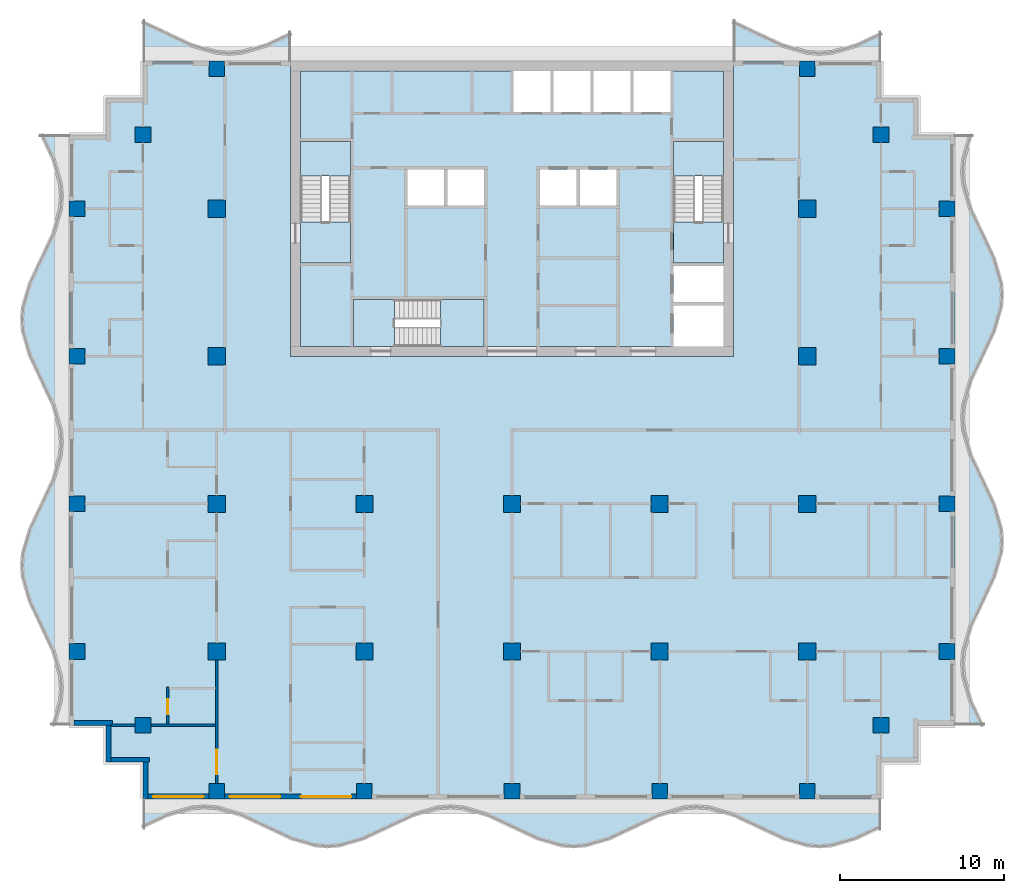
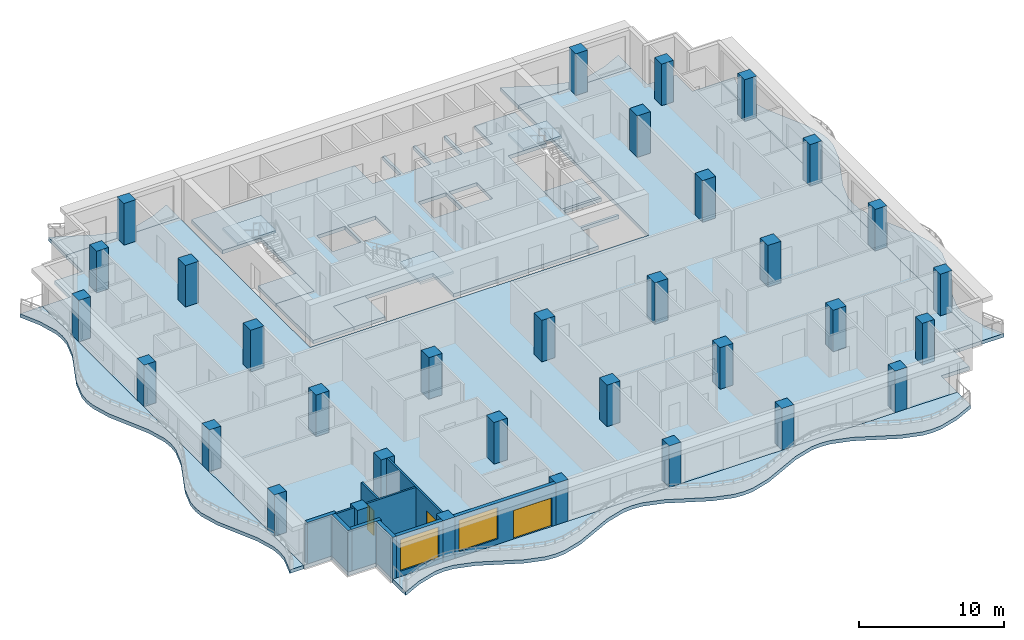
# One storey, part 1 of 11: 33 columns, 13 slabs, 10 walls, 3 doors, 2 windows, 5 openings, 3 elements without a shape of their own.
"""IFC4 building model written with IfcOpenShell, lengths in metres."""

from ifc_helpers import new_model, si_unit, direction, frame, frame_2d, origin, origin_2d, place, context, subcontext, project, spatial, polyline, rectangle, outline, extrude, material, layer, layer_set, material_profile, profile_set, type_object, element, fill, aggregate, save


model = new_model("IFC4")

# Units and contexts
model_context = context("Model", 3, precision=1e-05, world=origin(), true_north=direction((0.0, 1.0)))
body_context = subcontext(model_context, "Body", "Model", "MODEL_VIEW")
ifc_project = project(units=[si_unit("LENGTHUNIT", "METRE"), si_unit("AREAUNIT", "SQUARE_METRE"), si_unit("VOLUMEUNIT", "CUBIC_METRE"), si_unit("PLANEANGLEUNIT", "RADIAN"), si_unit("MASSUNIT", "GRAM", prefix="KILO")], contexts=[model_context])

# Site, building, storey
site_placement = place(None, origin())
site = spatial("IfcSite", under=ifc_project, at=site_placement, CompositionType="ELEMENT")
building_placement = place(site_placement, origin())
building = spatial("IfcBuilding", under=site, at=building_placement, Name="Orbiselva Terraces", CompositionType="ELEMENT")
storey_placement = place(building_placement, frame((0.0, 0.0, 226.2)))
storey = spatial("IfcBuildingStorey", under=building, at=storey_placement, Name="L57", CompositionType="ELEMENT", Elevation=226.2)

# Columns
ifc_material_1 = material(Name="Concrete C50/60", Category="concrete")
ifc_material_profile_1 = material_profile(ifc_material_1, rectangle(XDim=1.05, YDim=1.05, at=origin_2d()), Name="RC 1050x1050")
ifc_profile_set_1 = profile_set([ifc_material_profile_1], Name="Concrete C50/60")
column_type_1 = type_object("IfcColumnType", Name="COLUMN RC 1050x1050", PredefinedType="COLUMN", material=ifc_profile_set_1)
for number, where, z_axis, x_axis, name in (
    (1, (-18.0, -13.5, 0.0), (0.0, 0.0, 1.0), (1.0, 0.0, 0.0), "Column L57-01"),
    (2, (-18.0, -4.5, 0.0), (0.0, 0.0, 1.0), (1.0, 0.0, 0.0), "Column L57-03"),
    (3, (-18.0, 13.5, 0.0), (0.0, 0.0, 1.0), (1.0, 0.0, 0.0), "Column L57-04"),
    (4, (-18.0, 4.5, 0.0), (0.0, 0.0, 1.0), (1.0, 0.0, 0.0), "Column L57-06"),
    (5, (-9.0, -13.5, 0.0), (0.0, 0.0, 1.0), (1.0, 0.0, 0.0), "Column L57-13"),
    (6, (-9.0, -4.5, 0.0), (0.0, 0.0, 1.0), (1.0, 0.0, 0.0), "Column L57-15"),
    (7, (0.0, -13.5, 0.0), (0.0, 0.0, 1.0), (1.0, 0.0, 0.0), "Column L57-16"),
    (8, (0.0, -4.5, 0.0), (0.0, 0.0, 1.0), (1.0, 0.0, 0.0), "Column L57-18"),
    (9, (18.0, -13.5, 0.0), (0.0, 0.0, 1.0), (1.0, 0.0, 0.0), "Column L57-19"),
    (10, (18.0, -4.5, 0.0), (0.0, 0.0, 1.0), (1.0, 0.0, 0.0), "Column L57-21"),
    (11, (18.0, 13.5, 0.0), (0.0, 0.0, 1.0), (1.0, 0.0, 0.0), "Column L57-22"),
    (12, (18.0, 4.5, 0.0), (0.0, 0.0, 1.0), (1.0, 0.0, 0.0), "Column L57-24"),
    (13, (9.0, -13.5, 0.0), (0.0, 0.0, 1.0), (1.0, 0.0, 0.0), "Column L57-31"),
    (14, (9.0, -4.5, 0.0), (0.0, 0.0, 1.0), (1.0, 0.0, 0.0), "Column L57-33"),
):
    element("IfcColumn", number, at=place(storey_placement, frame(where, z_axis=z_axis, x_axis=x_axis)), inside=storey, type_object=column_type_1, Name=name, PredefinedType="COLUMN", context=body_context, shape_type="SweptSolid", body=[
        extrude(rectangle(XDim=1.05, YDim=1.05, at=origin_2d()), origin(), (0.0, 0.0, 1.0), 3.5),
    ])
ifc_material_profile_2 = material_profile(ifc_material_1, rectangle(XDim=0.95, YDim=0.95, at=origin_2d()), Name="RC 950x950")
ifc_profile_set_2 = profile_set([ifc_material_profile_2], Name="Concrete C50/60")
column_type_2 = type_object("IfcColumnType", Name="PERIMETER COLUMN RC 950x950", PredefinedType="COLUMN", material=ifc_profile_set_2)
for number, where, z_axis, x_axis, name in (
    (15, (-18.0, -22.025, 0.0), (0.0, 0.0, 1.0), (1.0, 0.0, 0.0), "Column L57-02"),
    (16, (-18.0, 22.025, 0.0), (0.0, 0.0, 1.0), (1.0, 0.0, 0.0), "Column L57-05"),
    (17, (-26.525, -13.5, 0.0), (0.0, 0.0, 1.0), (1.0, 0.0, 0.0), "Column L57-07"),
    (18, (-22.5, -18.0, 0.0), (0.0, 0.0, 1.0), (1.0, 0.0, 0.0), "Column L57-08"),
    (19, (-26.525, -4.5, 0.0), (0.0, 0.0, 1.0), (1.0, 0.0, 0.0), "Column L57-09"),
    (20, (-26.525, 13.5, 0.0), (0.0, 0.0, 1.0), (1.0, 0.0, 0.0), "Column L57-10"),
    (21, (-22.5, 18.0, 0.0), (0.0, 0.0, 1.0), (1.0, 0.0, 0.0), "Column L57-11"),
    (22, (-26.525, 4.5, 0.0), (0.0, 0.0, 1.0), (1.0, 0.0, 0.0), "Column L57-12"),
    (23, (-9.0, -22.025, 0.0), (0.0, 0.0, 1.0), (1.0, 0.0, 0.0), "Column L57-14"),
    (24, (0.0, -22.025, 0.0), (0.0, 0.0, 1.0), (1.0, 0.0, 0.0), "Column L57-17"),
    (25, (18.0, -22.025, 0.0), (0.0, 0.0, 1.0), (1.0, 0.0, 0.0), "Column L57-20"),
    (26, (18.0, 22.025, 0.0), (0.0, 0.0, 1.0), (1.0, 0.0, 0.0), "Column L57-23"),
    (27, (26.525, -13.5, 0.0), (0.0, 0.0, 1.0), (1.0, 0.0, 0.0), "Column L57-25"),
    (28, (22.5, -18.0, 0.0), (0.0, 0.0, 1.0), (1.0, 0.0, 0.0), "Column L57-26"),
    (29, (26.525, -4.5, 0.0), (0.0, 0.0, 1.0), (1.0, 0.0, 0.0), "Column L57-27"),
    (30, (26.525, 13.5, 0.0), (0.0, 0.0, 1.0), (1.0, 0.0, 0.0), "Column L57-28"),
    (31, (22.5, 18.0, 0.0), (0.0, 0.0, 1.0), (1.0, 0.0, 0.0), "Column L57-29"),
    (32, (26.525, 4.5, 0.0), (0.0, 0.0, 1.0), (1.0, 0.0, 0.0), "Column L57-30"),
    (33, (9.0, -22.025, 0.0), (0.0, 0.0, 1.0), (1.0, 0.0, 0.0), "Column L57-32"),
):
    element("IfcColumn", number, at=place(storey_placement, frame(where, z_axis=z_axis, x_axis=x_axis)), inside=storey, type_object=column_type_2, Name=name, PredefinedType="COLUMN", context=body_context, shape_type="SweptSolid", body=[
        extrude(rectangle(XDim=0.95, YDim=0.95, at=origin_2d()), origin(), (0.0, 0.0, 1.0), 3.5),
    ])

# Slabs
ifc_material_2 = material(Name="Concrete C40/50", Category="concrete")
ifc_layer_1 = layer(ifc_material_2, 0.3)
ifc_layer_set_1 = layer_set([ifc_layer_1], Name="Concrete C40/50")
slab_type_1 = type_object("IfcSlabType", Name="CORE-SLAB-FLOOR-300", PredefinedType="FLOOR", material=ifc_layer_set_1)
slab_1_placement = place(storey_placement, frame((0.0, 0.0, -0.3)))
element("IfcSlab", 34, at=slab_1_placement, inside=storey, type_object=slab_type_1, Name="L57 S1 floor landing", PredefinedType="FLOOR", context=body_context, shape_type="SweptSolid", body=[
    extrude(outline(polyline([(-12.9, 12.7), (-9.85, 12.7), (-9.85, 10.2), (-12.9, 10.2), (-12.9, 12.7)])), origin(), (0.0, 0.0, 1.0), 0.3),
])
slab_2_placement = place(storey_placement, frame((0.0, 0.0, -0.3)))
element("IfcSlab", 35, at=slab_2_placement, inside=storey, type_object=slab_type_1, Name="L57 S2 floor landing", PredefinedType="FLOOR", context=body_context, shape_type="SweptSolid", body=[
    extrude(outline(polyline([(12.9, 12.7), (12.9, 10.2), (9.85, 10.2), (9.85, 12.7), (12.9, 12.7)])), origin(), (0.0, 0.0, 1.0), 0.3),
])
slab_3_placement = place(storey_placement, frame((0.0, 0.0, -0.3)))
element("IfcSlab", 36, at=slab_3_placement, inside=storey, type_object=slab_type_1, Name="L57 S3 floor landing", PredefinedType="FLOOR", context=body_context, shape_type="SweptSolid", body=[
    extrude(outline(polyline([(-7.15, 5.1), (-9.65, 5.1), (-9.65, 7.95), (-7.15, 7.95), (-7.15, 5.1)])), origin(), (0.0, 0.0, 1.0), 0.3),
])
slab_4_placement = place(storey_placement, frame((0.0, 0.0, -0.3)))
element("IfcSlab", 37, at=slab_4_placement, inside=storey, type_object=slab_type_1, Name="L57 core floor slab 1", PredefinedType="FLOOR", context=body_context, shape_type="SweptSolid", body=[
    extrude(outline(polyline([(-1.7, 5.1), (-1.7, 7.95), (-9.65, 7.95), (-9.65, 5.1), (-12.9, 5.1), (-12.9, 10.2), (-9.85, 10.2), (-9.85, 17.6), (-12.9, 17.6), (-12.9, 21.9), (0.1, 21.9), (0.1, 19.4), (2.3375, 19.4), (2.3375, 21.9), (2.5375, 21.9), (2.5375, 19.4), (4.775, 19.4), (4.775, 21.9), (4.975, 21.9), (4.975, 19.4), (7.2125, 19.4), (7.2125, 21.9), (7.4125, 21.9), (7.4125, 19.4), (9.65, 19.4), (9.65, 21.9), (12.9, 21.9), (12.9, 17.6), (9.85, 17.6), (9.85, 10.2), (12.9, 10.2), (12.9, 10.0), (9.85, 10.0), (9.85, 7.8), (12.9, 7.8), (12.9, 7.6), (9.85, 7.6), (9.85, 5.1), (-1.7, 5.1)]), holes=[polyline([(-4.1375, 13.7), (-4.1375, 15.9), (-6.375, 15.9), (-6.375, 13.7), (-4.1375, 13.7)]), polyline([(-1.7, 13.7), (-1.7, 15.9), (-3.9375, 15.9), (-3.9375, 13.7), (-1.7, 13.7)]), polyline([(3.9375, 15.9), (1.7, 15.9), (1.7, 13.7), (3.9375, 13.7), (3.9375, 15.9)]), polyline([(6.375, 13.7), (6.375, 15.9), (4.1375, 15.9), (4.1375, 13.7), (6.375, 13.7)])]), origin(), (0.0, 0.0, 1.0), 0.3),
])

# Stair, slab
stair_type_1 = type_object("IfcStairType", Name="CORE-STAIR-1300", PredefinedType="HALF_TURN_STAIR", material=ifc_material_2)
stair_1_placement = place(storey_placement, origin())
stair_1 = element("IfcStair", 38, at=stair_1_placement, inside=storey, type_object=stair_type_1, Name="L57 Exit Stair S1", PredefinedType="HALF_TURN_STAIR")
ifc_layer_2 = layer(ifc_material_2, 0.2)
ifc_layer_set_2 = layer_set([ifc_layer_2], Name="Concrete C40/50")
slab_type_2 = type_object("IfcSlabType", Name="CORE-STAIR-LANDING-200", PredefinedType="LANDING", material=ifc_layer_set_2)
slab_5_placement = place(storey_placement, frame((0.0, 0.0, 1.7)))
slab_5 = element("IfcSlab", 39, at=slab_5_placement, type_object=slab_type_2, Name="S1 landing 1", PredefinedType="LANDING", context=body_context, shape_type="SweptSolid", body=[
    extrude(outline(polyline([(-9.85, 15.5), (-9.85, 17.6), (-12.9, 17.6), (-12.9, 15.5), (-9.85, 15.5)])), origin(), (0.0, 0.0, 1.0), 0.2),
])
aggregate(stair_1, [slab_5])

stair_2_placement = place(storey_placement, origin())
stair_2 = element("IfcStair", 40, at=stair_2_placement, inside=storey, type_object=stair_type_1, Name="L57 Exit Stair S2", PredefinedType="HALF_TURN_STAIR")
slab_6_placement = place(storey_placement, frame((0.0, 0.0, 1.7)))
slab_6 = element("IfcSlab", 41, at=slab_6_placement, type_object=slab_type_2, Name="S2 landing 1", PredefinedType="LANDING", context=body_context, shape_type="SweptSolid", body=[
    extrude(outline(polyline([(12.9, 15.5), (12.9, 17.6), (9.85, 17.6), (9.85, 15.5), (12.9, 15.5)])), origin(), (0.0, 0.0, 1.0), 0.2),
])
aggregate(stair_2, [slab_6])

stair_type_2 = type_object("IfcStairType", Name="CORE-STAIR-1200", PredefinedType="HALF_TURN_STAIR", material=ifc_material_2)
stair_3_placement = place(storey_placement, origin())
stair_3 = element("IfcStair", 42, at=stair_3_placement, inside=storey, type_object=stair_type_2, Name="L57 Exit Stair S3", PredefinedType="HALF_TURN_STAIR")
slab_7_placement = place(storey_placement, frame((0.0, 0.0, 1.7)))
slab_7 = element("IfcSlab", 43, at=slab_7_placement, type_object=slab_type_2, Name="S3 landing 1", PredefinedType="LANDING", context=body_context, shape_type="SweptSolid", body=[
    extrude(outline(polyline([(-4.35, 5.1), (-1.7, 5.1), (-1.7, 7.95), (-4.35, 7.95), (-4.35, 5.1)])), origin(), (0.0, 0.0, 1.0), 0.2),
])
aggregate(stair_3, [slab_7])

# Slabs
ifc_layer_3 = layer(ifc_material_1, 0.3)
ifc_layer_set_3 = layer_set([ifc_layer_3], Name="Concrete C50/60")
slab_type_3 = type_object("IfcSlabType", Name="ENV-BALCONY-SLAB-300", PredefinedType="FLOOR", material=ifc_layer_set_3)
slab_8_placement = place(storey_placement, frame((0.0, 0.0, -0.3)))
element("IfcSlab", 44, at=slab_8_placement, inside=storey, type_object=slab_type_3, Name="Balcony slab L57 S", PredefinedType="FLOOR", context=body_context, shape_type="SweptSolid", body=[
    extrude(outline(polyline([(-22.5, -24.3), (-21.0, -23.594658), (-19.5, -23.158732), (-18.75, -23.1), (-18.0, -23.158732), (-16.5, -23.594658), (-13.5, -25.005342), (-12.0, -25.441268), (-11.25, -25.5), (-10.5, -25.441268), (-9.0, -25.005342), (-6.0, -23.594658), (-4.5, -23.158732), (-3.75, -23.1), (-3.0, -23.158732), (-1.5, -23.594658), (1.5, -25.005342), (3.0, -25.441268), (3.75, -25.5), (4.5, -25.441268), (6.0, -25.005342), (9.0, -23.594658), (10.5, -23.158732), (11.25, -23.1), (12.0, -23.158732), (13.5, -23.594658), (16.5, -25.005342), (18.0, -25.441268), (18.75, -25.5), (19.5, -25.441268), (21.0, -25.005342), (22.5, -24.3), (22.5, -22.5), (-22.5, -22.5), (-22.5, -24.3)])), origin(), (0.0, 0.0, 1.0), 0.3),
])
slab_9_placement = place(storey_placement, frame((0.0, 0.0, -0.3)))
element("IfcSlab", 45, at=slab_9_placement, inside=storey, type_object=slab_type_3, Name="Balcony slab L57 E", PredefinedType="FLOOR", context=body_context, shape_type="SweptSolid", body=[
    extrude(outline(polyline([(28.8, -18.0), (28.094658, -16.5), (27.658732, -15.0), (27.6, -14.25), (27.658732, -13.5), (28.094658, -12.0), (29.505342, -9.0), (29.941268, -7.5), (30.0, -6.75), (29.941268, -6.0), (29.505342, -4.5), (28.094658, -1.5), (27.658732, 0.0), (27.6, 0.75), (27.658732, 1.5), (28.094658, 3.0), (29.505342, 6.0), (29.941268, 7.5), (30.0, 8.25), (29.941268, 9.0), (29.505342, 10.5), (28.094658, 13.5), (27.658732, 15.0), (27.6, 15.75), (27.658732, 16.5), (28.094658, 18.0), (27.0, 18.0), (27.0, -18.0), (28.8, -18.0)])), origin(), (0.0, 0.0, 1.0), 0.3),
])
slab_10_placement = place(storey_placement, frame((0.0, 0.0, -0.3)))
element("IfcSlab", 46, at=slab_10_placement, inside=storey, type_object=slab_type_3, Name="Balcony slab L57 NE", PredefinedType="FLOOR", context=body_context, shape_type="SweptSolid", body=[
    extrude(outline(polyline([(22.5, 24.3), (21.0, 23.594658), (19.5, 23.158732), (18.75, 23.1), (18.0, 23.158732), (16.5, 23.594658), (13.5, 25.005342), (13.5, 22.5), (22.5, 22.5), (22.5, 24.3)])), origin(), (0.0, 0.0, 1.0), 0.3),
])
slab_11_placement = place(storey_placement, frame((0.0, 0.0, -0.3)))
element("IfcSlab", 47, at=slab_11_placement, inside=storey, type_object=slab_type_3, Name="Balcony slab L57 NW", PredefinedType="FLOOR", context=body_context, shape_type="SweptSolid", body=[
    extrude(outline(polyline([(-13.5, 24.3), (-15.0, 23.594658), (-16.5, 23.158732), (-17.25, 23.1), (-18.0, 23.158732), (-19.5, 23.594658), (-22.5, 25.005342), (-22.5, 22.5), (-13.5, 22.5), (-13.5, 24.3)])), origin(), (0.0, 0.0, 1.0), 0.3),
])
slab_12_placement = place(storey_placement, frame((0.0, 0.0, -0.3)))
element("IfcSlab", 48, at=slab_12_placement, inside=storey, type_object=slab_type_3, Name="Balcony slab L57 W", PredefinedType="FLOOR", context=body_context, shape_type="SweptSolid", body=[
    extrude(outline(polyline([(-28.8, 18.0), (-28.094658, 16.5), (-27.658732, 15.0), (-27.6, 14.25), (-27.658732, 13.5), (-28.094658, 12.0), (-29.505342, 9.0), (-29.941268, 7.5), (-30.0, 6.75), (-29.941268, 6.0), (-29.505342, 4.5), (-28.094658, 1.5), (-27.658732, 0.0), (-27.6, -0.75), (-27.658732, -1.5), (-28.094658, -3.0), (-29.505342, -6.0), (-29.941268, -7.5), (-30.0, -8.25), (-29.941268, -9.0), (-29.505342, -10.5), (-28.094658, -13.5), (-27.658732, -15.0), (-27.6, -15.75), (-27.658732, -16.5), (-28.094658, -18.0), (-27.0, -18.0), (-27.0, 18.0), (-28.8, 18.0)])), origin(), (0.0, 0.0, 1.0), 0.3),
])
ifc_layer_4 = layer(ifc_material_1, 0.3)
ifc_layer_set_4 = layer_set([ifc_layer_4], Name="Concrete C50/60")
slab_type_4 = type_object("IfcSlabType", Name="FLOOR SLAB 300", PredefinedType="FLOOR", material=ifc_layer_set_4)
slab_13_placement = place(storey_placement, frame((0.0, 0.0, -0.3)))
element("IfcSlab", 49, at=slab_13_placement, inside=storey, type_object=slab_type_4, Name="Floor slab L57", PredefinedType="FLOOR", context=body_context, shape_type="SweptSolid", body=[
    extrude(outline(polyline([(22.5, 22.5), (22.5, 20.25), (24.75, 20.25), (24.75, 18.0), (27.0, 18.0), (27.0, -18.0), (24.75, -18.0), (24.75, -20.25), (22.5, -20.25), (22.5, -22.5), (-22.5, -22.5), (-22.5, -20.25), (-24.75, -20.25), (-24.75, -18.0), (-27.0, -18.0), (-27.0, 18.0), (-24.75, 18.0), (-24.75, 20.25), (-22.5, 20.25), (-22.5, 22.5), (-13.5, 22.5), (-13.5, 4.5), (13.5, 4.5), (13.5, 22.5), (22.5, 22.5)])), origin(), (0.0, 0.0, 1.0), 0.3),
])

# Wall, opening, window
ifc_material_3 = material(Name="Terracotta cladding on masonry backing", Category="masonry")
ifc_layer_5 = layer(ifc_material_3, 0.3)
ifc_layer_set_5 = layer_set([ifc_layer_5], Name="Terracotta cladding on masonry backing")
wall_type_1 = type_object("IfcWallType", Name="ENV-WALL-TERRACOTTA-300", PredefinedType="SOLIDWALL", material=ifc_layer_set_5)
wall_1_placement = place(storey_placement, frame((-18.475, -22.35, 0.0), z_axis=(0.0, 0.0, 1.0), x_axis=(-1.0, 0.0, 0.0)))
wall_1 = element("IfcWall", 50, at=wall_1_placement, inside=storey, type_object=wall_type_1, Name="Facade wall L57 S", PredefinedType="SOLIDWALL", context=body_context, shape_type="SweptSolid", body=[
    extrude(rectangle(XDim=3.725, YDim=0.3, at=frame_2d((1.8625, 0.0))), origin(), (0.0, 0.0, 1.0), 3.5),
])
opening_1_placement = place(wall_1_placement, frame((0.325, 0.0, 0.45)))
opening_1 = element("IfcOpeningElement", 51, at=opening_1_placement, cuts=wall_1, Name="Opening WN15", PredefinedType="OPENING", context=body_context, shape_type="SweptSolid", body=[
    extrude(rectangle(XDim=3.075, YDim=2.65, at=frame_2d((1.5375, 1.325))), frame((0.0, 0.16, 0.0), z_axis=(0.0, -1.0, 0.0), x_axis=(1.0, 0.0, 0.0)), (0.0, 0.0, 1.0), 0.32),
])
ifc_material_4 = material(Name="Clear low-e glazing in aluminium frame", Category="aluminium")
window_type = type_object("IfcWindowType", Name="WINDOW 3075 X 2650 S450", PartitioningType="TRIPLE_PANEL_VERTICAL", PredefinedType="WINDOW", material=ifc_material_4)
window_1_placement = place(opening_1_placement, origin())
window_1 = element("IfcWindow", 52, at=window_1_placement, inside=storey, type_object=window_type, Name="Window L57 S", OverallHeight=2.65, OverallWidth=3.075, PartitioningType="SINGLE_PANEL", PredefinedType="WINDOW", context=body_context, shape_type="SweptSolid", body=[
    extrude(rectangle(XDim=3.075, YDim=2.65, at=frame_2d((1.5375, 1.325))), frame((0.0, 0.03, 0.0), z_axis=(0.0, -1.0, 0.0), x_axis=(1.0, 0.0, 0.0)), (0.0, 0.0, 1.0), 0.06),
])
fill(opening_1, window_1)

# Wall, openings, door, window
wall_2_placement = place(storey_placement, frame((-9.475, -22.35, 0.0), z_axis=(0.0, 0.0, 1.0), x_axis=(-1.0, 0.0, 0.0)))
wall_2 = element("IfcWall", 53, at=wall_2_placement, inside=storey, type_object=wall_type_1, Name="Facade wall L57 S", PredefinedType="SOLIDWALL", context=body_context, shape_type="SweptSolid", body=[
    extrude(rectangle(XDim=8.05, YDim=0.3, at=frame_2d((4.025, 0.0))), origin(), (0.0, 0.0, 1.0), 3.5),
])
opening_2_placement = place(wall_2_placement, frame((4.65, 0.0, 0.45)))
opening_2 = element("IfcOpeningElement", 54, at=opening_2_placement, cuts=wall_2, Name="Opening WN15", PredefinedType="OPENING", context=body_context, shape_type="SweptSolid", body=[
    extrude(rectangle(XDim=3.075, YDim=2.65, at=frame_2d((1.5375, 1.325))), frame((0.0, 0.16, 0.0), z_axis=(0.0, -1.0, 0.0), x_axis=(1.0, 0.0, 0.0)), (0.0, 0.0, 1.0), 0.32),
])
opening_3_placement = place(wall_2_placement, frame((0.325, 0.0, 0.0)))
opening_3 = element("IfcOpeningElement", 55, at=opening_3_placement, cuts=wall_2, Name="Opening Z4-E-E01", PredefinedType="OPENING", context=body_context, shape_type="SweptSolid", body=[
    extrude(rectangle(XDim=3.075, YDim=2.4, at=frame_2d((1.5375, 1.2))), frame((0.0, 0.16, 0.0), z_axis=(0.0, -1.0, 0.0), x_axis=(1.0, 0.0, 0.0)), (0.0, 0.0, 1.0), 0.32),
])
door_type_1 = type_object("IfcDoorType", Name="BALCONY DOOR 3075 X 2400", OperationType="DOUBLE_DOOR_SLIDING", PredefinedType="DOOR", material=ifc_material_4)
door_1_placement = place(opening_3_placement, origin())
door_1 = element("IfcDoor", 56, at=door_1_placement, inside=storey, type_object=door_type_1, Name="Z4-E-E01", OperationType="SINGLE_SWING_LEFT", OverallHeight=2.4, OverallWidth=3.075, PredefinedType="DOOR", context=body_context, shape_type="SweptSolid", body=[
    extrude(rectangle(XDim=3.075, YDim=2.4, at=frame_2d((1.5375, 1.2))), frame((0.0, 0.025, 0.0), z_axis=(0.0, -1.0, 0.0), x_axis=(1.0, 0.0, 0.0)), (0.0, 0.0, 1.0), 0.05),
])
fill(opening_3, door_1)
window_2_placement = place(opening_2_placement, origin())
window_2 = element("IfcWindow", 57, at=window_2_placement, inside=storey, type_object=window_type, Name="Window L57 S", OverallHeight=2.65, OverallWidth=3.075, PartitioningType="SINGLE_PANEL", PredefinedType="WINDOW", context=body_context, shape_type="SweptSolid", body=[
    extrude(rectangle(XDim=3.075, YDim=2.65, at=frame_2d((1.5375, 1.325))), frame((0.0, 0.03, 0.0), z_axis=(0.0, -1.0, 0.0), x_axis=(1.0, 0.0, 0.0)), (0.0, 0.0, 1.0), 0.06),
])
fill(opening_2, window_2)

# Walls
wall_3_placement = place(storey_placement, frame((-24.35, -17.85, 0.0), z_axis=(0.0, 0.0, 1.0), x_axis=(-1.0, 0.0, 0.0)))
element("IfcWall", 58, at=wall_3_placement, inside=storey, type_object=wall_type_1, Name="Facade wall L57 STEP", PredefinedType="SOLIDWALL", context=body_context, shape_type="SweptSolid", body=[
    extrude(rectangle(XDim=2.35, YDim=0.3, at=frame_2d((1.175, 0.0))), origin(), (0.0, 0.0, 1.0), 3.5),
])
wall_4_placement = place(storey_placement, frame((-24.6, -20.25, 0.0), z_axis=(0.0, 0.0, 1.0), x_axis=(0.0, 1.0, 0.0)))
element("IfcWall", 59, at=wall_4_placement, inside=storey, type_object=wall_type_1, Name="Facade wall L57 STEP", PredefinedType="SOLIDWALL", context=body_context, shape_type="SweptSolid", body=[
    extrude(rectangle(XDim=2.25, YDim=0.3, at=frame_2d((1.125, 0.0))), origin(), (0.0, 0.0, 1.0), 3.5),
])
wall_5_placement = place(storey_placement, frame((-22.1, -20.1, 0.0), z_axis=(0.0, 0.0, 1.0), x_axis=(-1.0, 0.0, 0.0)))
element("IfcWall", 60, at=wall_5_placement, inside=storey, type_object=wall_type_1, Name="Facade wall L57 STEP", PredefinedType="SOLIDWALL", context=body_context, shape_type="SweptSolid", body=[
    extrude(rectangle(XDim=2.35, YDim=0.3, at=frame_2d((1.175, 0.0))), origin(), (0.0, 0.0, 1.0), 3.5),
])
wall_6_placement = place(storey_placement, frame((-22.35, -22.5, 0.0), z_axis=(0.0, 0.0, 1.0), x_axis=(0.0, 1.0, 0.0)))
element("IfcWall", 61, at=wall_6_placement, inside=storey, type_object=wall_type_1, Name="Facade wall L57 STEP", PredefinedType="SOLIDWALL", context=body_context, shape_type="SweptSolid", body=[
    extrude(rectangle(XDim=2.25, YDim=0.3, at=frame_2d((1.125, 0.0))), origin(), (0.0, 0.0, 1.0), 3.5),
])
ifc_material_5 = material(Name="Plasterboard on steel stud partition", Category="steel")
ifc_layer_6 = layer(ifc_material_5, 0.15)
ifc_layer_set_6 = layer_set([ifc_layer_6], Name="Plasterboard on steel stud partition")
wall_type_2 = type_object("IfcWallType", Name="UNIT-PARTITION-150", PredefinedType="PARTITIONING", material=ifc_layer_set_6)
wall_7_placement = place(storey_placement, frame((-24.45, -18.0, 0.0), z_axis=(0.0, 0.0, 1.0), x_axis=(1.0, 0.0, 0.0)))
element("IfcWall", 62, at=wall_7_placement, inside=storey, type_object=wall_type_2, Name="PARTITION L57-003", PredefinedType="PARTITIONING", context=body_context, shape_type="SweptSolid", body=[
    extrude(rectangle(XDim=1.475, YDim=0.15, at=frame_2d((0.7375, 0.0))), origin(), (0.0, 0.0, 1.0), 3.5),
])
wall_8_placement = place(storey_placement, frame((-22.025, -18.0, 0.0), z_axis=(0.0, 0.0, 1.0), x_axis=(1.0, 0.0, 0.0)))
element("IfcWall", 63, at=wall_8_placement, inside=storey, type_object=wall_type_2, Name="PARTITION L57-004", PredefinedType="PARTITIONING", context=body_context, shape_type="SweptSolid", body=[
    extrude(rectangle(XDim=3.95, YDim=0.15, at=frame_2d((1.975, 0.0))), origin(), (0.0, 0.0, 1.0), 3.5),
])

# Wall, opening, door
wall_9_placement = place(storey_placement, frame((-21.0, -15.675, 0.0), z_axis=(0.0, 0.0, 1.0), x_axis=(0.0, -1.0, 0.0)))
wall_9 = element("IfcWall", 64, at=wall_9_placement, inside=storey, type_object=wall_type_2, Name="PARTITION L57-051", PredefinedType="PARTITIONING", context=body_context, shape_type="SweptSolid", body=[
    extrude(rectangle(XDim=2.25, YDim=0.15, at=frame_2d((1.125, 0.0))), origin(), (0.0, 0.0, 1.0), 3.5),
])
opening_4_placement = place(wall_9_placement, frame((0.75, 0.0, 0.0)))
opening_4 = element("IfcOpeningElement", 65, at=opening_4_placement, cuts=wall_9, Name="Opening Z4-E-28", PredefinedType="OPENING", context=body_context, shape_type="SweptSolid", body=[
    extrude(rectangle(XDim=0.9, YDim=2.1, at=frame_2d((0.45, 1.05))), frame((0.0, 0.085, 0.0), z_axis=(0.0, -1.0, 0.0), x_axis=(1.0, 0.0, 0.0)), (0.0, 0.0, 1.0), 0.17),
])
ifc_material_6 = material(Name="Painted timber door leaf", Category="wood")
door_type_2 = type_object("IfcDoorType", Name="BATH DOOR 900", OperationType="NOTDEFINED", PredefinedType="DOOR", material=ifc_material_6)
door_2_placement = place(opening_4_placement, origin())
door_2 = element("IfcDoor", 66, at=door_2_placement, inside=storey, type_object=door_type_2, Name="Z4-E-28", OperationType="SINGLE_SWING_RIGHT", OverallHeight=2.1, OverallWidth=0.9, PredefinedType="DOOR", context=body_context, shape_type="SweptSolid", body=[
    extrude(rectangle(XDim=0.9, YDim=2.1, at=frame_2d((0.45, 1.05))), frame((0.0, 0.025, 0.0), z_axis=(0.0, -1.0, 0.0), x_axis=(1.0, 0.0, 0.0)), (0.0, 0.0, 1.0), 0.05),
])
fill(opening_4, door_2)

wall_10_placement = place(storey_placement, frame((-18.0, -21.55, 0.0), z_axis=(0.0, 0.0, 1.0), x_axis=(0.0, 1.0, 0.0)))
wall_10 = element("IfcWall", 67, at=wall_10_placement, inside=storey, type_object=wall_type_2, Name="PARTITION L57-054", PredefinedType="PARTITIONING", context=body_context, shape_type="SweptSolid", body=[
    extrude(rectangle(XDim=7.525, YDim=0.15, at=frame_2d((3.7625, 0.0))), origin(), (0.0, 0.0, 1.0), 3.5),
])
opening_5_placement = place(wall_10_placement, frame((0.55, 0.0, 0.0)))
opening_5 = element("IfcOpeningElement", 68, at=opening_5_placement, cuts=wall_10, Name="Opening Z4-E-26", PredefinedType="OPENING", context=body_context, shape_type="SweptSolid", body=[
    extrude(rectangle(XDim=1.5, YDim=2.4, at=frame_2d((0.75, 1.2))), frame((0.0, 0.085, 0.0), z_axis=(0.0, -1.0, 0.0), x_axis=(1.0, 0.0, 0.0)), (0.0, 0.0, 1.0), 0.17),
])
door_type_3 = type_object("IfcDoorType", Name="DOUBLE DOOR 1500", OperationType="NOTDEFINED", PredefinedType="DOOR", material=ifc_material_6)
door_3_placement = place(opening_5_placement, origin())
door_3 = element("IfcDoor", 69, at=door_3_placement, inside=storey, type_object=door_type_3, Name="Z4-E-26", OperationType="DOUBLE_DOOR_SINGLE_SWING", OverallHeight=2.4, OverallWidth=1.5, PredefinedType="DOOR", context=body_context, shape_type="SweptSolid", body=[
    extrude(rectangle(XDim=1.5, YDim=2.4, at=frame_2d((0.75, 1.2))), frame((0.0, 0.025, 0.0), z_axis=(0.0, -1.0, 0.0), x_axis=(1.0, 0.0, 0.0)), (0.0, 0.0, 1.0), 0.05),
])
fill(opening_5, door_3)

save(model, "model.ifc")
